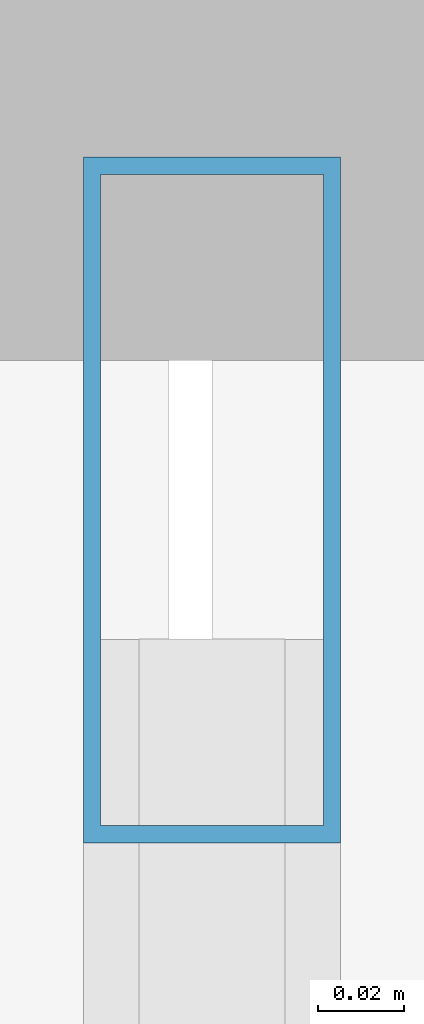
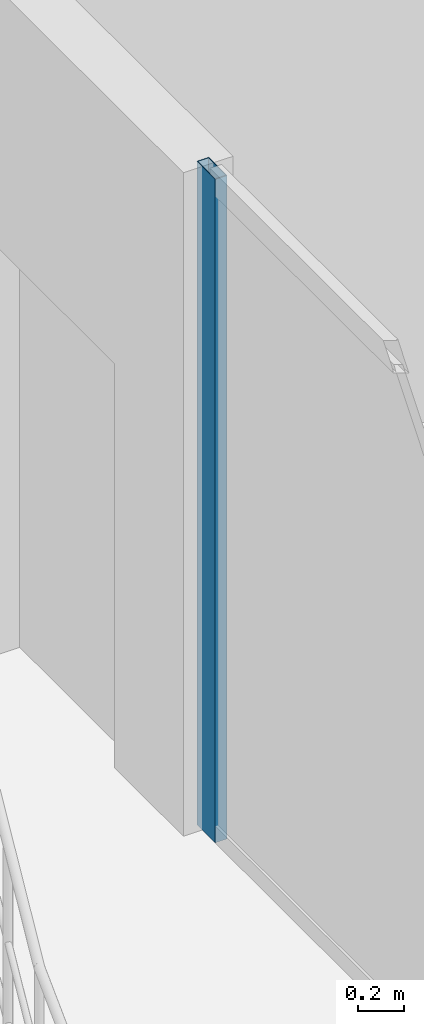
# One storey, part 9 of 17: 1 member, 1 element without a shape of its own.
"""IFC4 building model written with IfcOpenShell, lengths in metres."""

from ifc_helpers import new_model, si_unit, direction, frame, origin, origin_2d, place, context, subcontext, project, spatial, hollow_rectangle, extrude, material, layer, layer_set, material_profile, profile_set, type_object, element, aggregate, save


model = new_model("IFC4")

# Units and contexts
model_context = context("Model", 3, precision=1e-05, world=origin(), true_north=direction((0.0, 1.0)))
body_context = subcontext(model_context, "Body", "Model", "MODEL_VIEW")
ifc_project = project(units=[si_unit("LENGTHUNIT", "METRE"), si_unit("AREAUNIT", "SQUARE_METRE"), si_unit("VOLUMEUNIT", "CUBIC_METRE"), si_unit("PLANEANGLEUNIT", "RADIAN"), si_unit("MASSUNIT", "GRAM", prefix="KILO")], contexts=[model_context])

# Site, building, storey
site_placement = place(None, origin())
site = spatial("IfcSite", under=ifc_project, at=site_placement, CompositionType="ELEMENT")
building_placement = place(site_placement, origin())
building = spatial("IfcBuilding", under=site, at=building_placement, Name="Catumbela Crestline Tower", CompositionType="ELEMENT")
storey_placement = place(building_placement, frame((0.0, 0.0, 267.8)))
storey = spatial("IfcBuildingStorey", under=building, at=storey_placement, Name="L69", CompositionType="ELEMENT", Elevation=267.8)

# Curtain wall, member
ifc_material = material(Name="Aluminium alloy AW-6060-T66", Category="aluminium")
ifc_layer = layer(ifc_material, 0.18, Name="Aluminium alloy AW-6060-T66")
ifc_layer_set = layer_set([ifc_layer], Name="Aluminium alloy AW-6060-T66")
curtain_wall_type = type_object("IfcCurtainWallType", Name="CWU-Z4", PredefinedType="USERDEFINED", material=ifc_layer_set)
curtain_wall_placement = place(storey_placement, origin())
curtain_wall = element("IfcCurtainWall", 1, at=curtain_wall_placement, inside=storey, type_object=curtain_wall_type, Name="L69 Unitised Curtain Wall CW-L69-E9S2", ObjectType="UNITISED", PredefinedType="USERDEFINED")
ifc_material_profile = material_profile(ifc_material, hollow_rectangle(XDim=0.06, YDim=0.16, WallThickness=0.004, at=origin_2d()), Name="ALU 160x60x4")
ifc_profile_set = profile_set([ifc_material_profile], Name="Aluminium alloy AW-6060-T66")
member_type = type_object("IfcMemberType", Name="MUL-160X60", PredefinedType="MULLION", material=ifc_profile_set)
member_placement = place(storey_placement, frame((9.2, 33.6675, 0.0), z_axis=(0.0, 0.0, 1.0), x_axis=(1.0, 0.0, 0.0)))
member = element("IfcMember", 2, at=member_placement, type_object=member_type, Name="CWU-Z4 mullion 1", PredefinedType="MULLION", context=body_context, shape_type="SweptSolid", body=[
    extrude(hollow_rectangle(XDim=0.06, YDim=0.16, WallThickness=0.004, at=origin_2d()), origin(), (0.0, 0.0, 1.0), 3.53),
])
aggregate(curtain_wall, [member])

save(model, "model.ifc")
